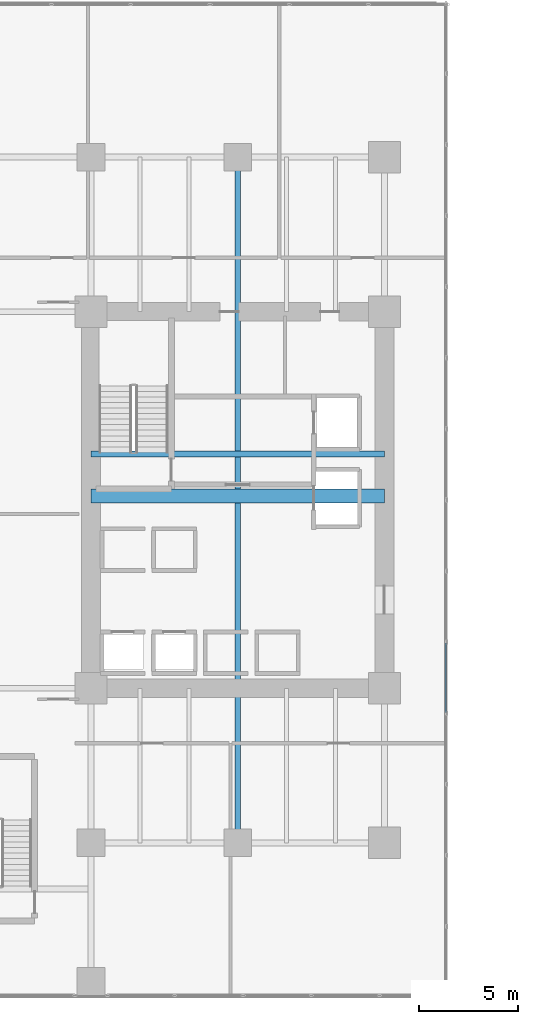
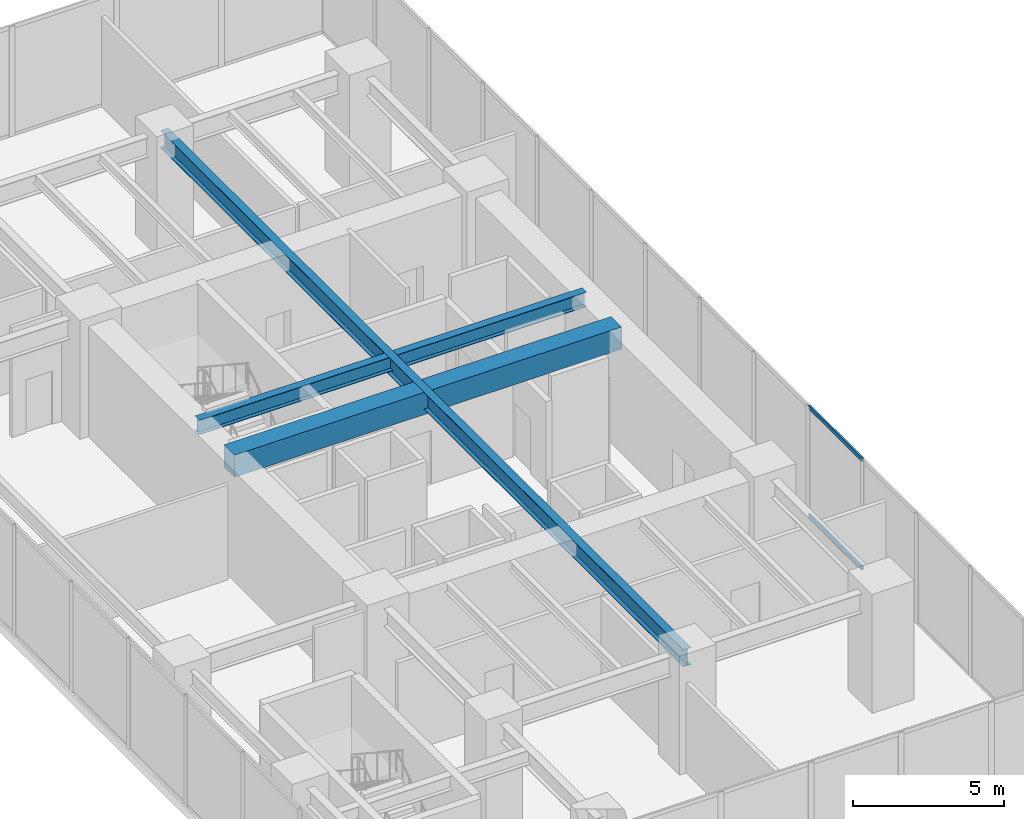
# One storey, part 6 of 32: 3 beams, 2 members, 1 element without a shape of its own.
"""IFC4 building model written with IfcOpenShell, lengths in metres."""

from ifc_helpers import new_model, si_unit, direction, frame, origin, origin_2d, place, context, subcontext, project, spatial, rectangle, hollow_rectangle, i_section, extrude, source, transform, mapped, material, layer, layer_set, material_profile, profile_set, type_object, type_shapes, element, aggregate, save


model = new_model("IFC4")

# Units and contexts
model_context = context("Model", 3, precision=1e-05, world=origin(), true_north=direction((0.0, 1.0)))
body_context = subcontext(model_context, "Body", "Model", "MODEL_VIEW")
ifc_project = project(units=[si_unit("LENGTHUNIT", "METRE"), si_unit("AREAUNIT", "SQUARE_METRE"), si_unit("VOLUMEUNIT", "CUBIC_METRE"), si_unit("PLANEANGLEUNIT", "RADIAN"), si_unit("MASSUNIT", "GRAM", prefix="KILO")], contexts=[model_context])

# Site, building, storey
site_placement = place(None, origin())
site = spatial("IfcSite", under=ifc_project, at=site_placement, CompositionType="ELEMENT")
building_placement = place(site_placement, origin())
building = spatial("IfcBuilding", under=site, at=building_placement, Name="Haelvirn Gate Laboratories", CompositionType="ELEMENT")
storey_placement = place(building_placement, frame((0.0, 0.0, 5.39990234375)))
storey = spatial("IfcBuildingStorey", under=building, at=storey_placement, Name="L02", CompositionType="ELEMENT", Elevation=5.39990234375)

# Beams
ifc_material_1 = material(Name="Concrete C60/75", Category="concrete")
ifc_material_profile_1 = material_profile(ifc_material_1, rectangle(XDim=0.699951171875, YDim=0.89990234375, at=origin_2d()), Name="RCB-700x900")
ifc_profile_set_1 = profile_set([ifc_material_profile_1], Name="Concrete C60/75")
beam_type_1 = type_object("IfcBeamType", Name="BM-RCB-900", PredefinedType="LINTEL", material=ifc_profile_set_1)
shared_shape_1 = source(origin(), body_context, "Body", "SweptSolid", [
    extrude(rectangle(XDim=0.699951171875, YDim=0.89990234375, at=origin_2d()), origin(), (0.0, 0.0, 1.0), 14.800048828125),
])
type_shapes(beam_type_1, [shared_shape_1])
beam_1_placement = place(storey_placement, frame((7.39990234375, 24.5, 4.0), z_axis=(1.0, 0.0, 0.0), x_axis=(0.0, 1.0, 0.0)))
element("IfcBeam", 1, at=beam_1_placement, inside=storey, type_object=beam_type_1, Name="L02 West Core Coupling Beam", PredefinedType="LINTEL", context=body_context, shape_type="MappedRepresentation", body=[
    mapped(shared_shape_1, transform((0.0, 0.0, 0.0), scale=1.0)),
])
ifc_material_2 = material(Name="Steel SM355", Category="steel")
ifc_material_profile_2 = material_profile(ifc_material_2, i_section(OverallWidth=0.300048828125, OverallDepth=0.587890625, WebThickness=0.011962890625, FlangeThickness=0.02001953125, at=origin_2d()), Name="H-588x300x12x20")
ifc_profile_set_2 = profile_set([ifc_material_profile_2], Name="Steel SM355")
beam_type_2 = type_object("IfcBeamType", Name="BM-G-588", PredefinedType="BEAM", material=ifc_profile_set_2)
shared_shape_2 = source(origin(), body_context, "Body", "SweptSolid", [
    extrude(i_section(OverallWidth=0.300048828125, OverallDepth=0.587890625, WebThickness=0.011962890625, FlangeThickness=0.02001953125, at=origin_2d()), origin(), (0.0, 0.0, 1.0), 14.800048828125),
])
type_shapes(beam_type_2, [shared_shape_2])
beam_2_placement = place(storey_placement, frame((7.39990234375, 26.6201171875, 4.156005859375), z_axis=(1.0, 0.0, 0.0), x_axis=(0.0, 1.0, 0.0)))
element("IfcBeam", 2, at=beam_2_placement, inside=storey, type_object=beam_type_2, Name="L02 Stair ST1 Landing Header", PredefinedType="BEAM", context=body_context, shape_type="MappedRepresentation", body=[
    mapped(shared_shape_2, transform((0.0, 0.0, 0.0), scale=1.0)),
])
ifc_material_profile_3 = material_profile(ifc_material_2, i_section(OverallWidth=0.300048828125, OverallDepth=0.699951171875, WebThickness=0.012939453125, FlangeThickness=0.02392578125, at=origin_2d()), Name="H-700x300x13x24")
ifc_profile_set_3 = profile_set([ifc_material_profile_3], Name="Steel SM355")
beam_type_3 = type_object("IfcBeamType", Name="BM-G-700", PredefinedType="BEAM", material=ifc_profile_set_3)
shared_shape_3 = source(origin(), body_context, "Body", "SweptSolid", [
    extrude(i_section(OverallWidth=0.300048828125, OverallDepth=0.699951171875, WebThickness=0.012939453125, FlangeThickness=0.02392578125, at=origin_2d()), origin(), (0.0, 0.0, 1.0), 34.60009765625),
])
type_shapes(beam_type_3, [shared_shape_3])
beam_3_placement = place(storey_placement, frame((14.800048828125, 7.0, 4.10009765625), z_axis=(0.0, 1.0, 0.0), x_axis=(-1.0, 0.0, 0.0)))
element("IfcBeam", 3, at=beam_3_placement, inside=storey, type_object=beam_type_3, Name="L02 Frame Girder X14.8 (7.0-41.6)", PredefinedType="BEAM", context=body_context, shape_type="MappedRepresentation", body=[
    mapped(shared_shape_3, transform((0.0, 0.0, 0.0), scale=1.0)),
])

# Curtain wall, members
ifc_material_3 = material(Name="Anodised bronze unitised aluminium & triple low-E glass", Category="aluminium")
ifc_layer = layer(ifc_material_3, 0.18798828125, Name="CW-SYS-1")
ifc_layer_set = layer_set([ifc_layer], Name="Anodised bronze unitised aluminium & triple low-E glass")
curtain_wall_type = type_object("IfcCurtainWallType", Name="CW-SYS-1", PredefinedType="NOTDEFINED", material=ifc_layer_set)
curtain_wall_placement = place(storey_placement, origin())
curtain_wall = element("IfcCurtainWall", 4, at=curtain_wall_placement, inside=storey, type_object=curtain_wall_type, Name="L02 Unitised Curtain Wall CW-L02-P0-E01", PredefinedType="NOTDEFINED")
ifc_material_4 = material(Name="Extruded aluminium 6063-T6 (anodised bronze)", Category="aluminium")
ifc_material_profile_4 = material_profile(ifc_material_4, hollow_rectangle(XDim=0.070068359375, YDim=0.159912109375, WallThickness=0.0048828125, at=origin_2d()), Name="CWT-160x70x5")
ifc_profile_set_4 = profile_set([ifc_material_profile_4], Name="Extruded aluminium 6063-T6 (anodised bronze)")
member_type = type_object("IfcMemberType", Name="CWT-T160", PredefinedType="USERDEFINED", material=ifc_profile_set_4)
shared_shape_4 = source(origin(), body_context, "Body", "SweptSolid", [
    extrude(hollow_rectangle(XDim=0.070068359375, YDim=0.159912109375, WallThickness=0.0048828125, at=origin_2d()), origin(), (0.0, 0.0, 1.0), 3.505859375),
])
type_shapes(member_type, [shared_shape_4])
member_1_placement = place(storey_placement, frame((25.300048828125, 13.582763671875, 0.03515625), z_axis=(0.0, 1.0, 0.0), x_axis=(-1.0, 0.0, 0.0)))
member_1 = element("IfcMember", 5, at=member_1_placement, type_object=member_type, Name="CW1 transom 5.1", ObjectType="TRANSOM", PredefinedType="USERDEFINED", context=body_context, shape_type="MappedRepresentation", body=[
    mapped(shared_shape_4, transform((0.0, 0.0, 0.0), scale=1.0)),
])
member_2_placement = place(storey_placement, frame((25.300048828125, 13.582763671875, 4.4150390625), z_axis=(0.0, 1.0, 0.0), x_axis=(-1.0, 0.0, 0.0)))
member_2 = element("IfcMember", 6, at=member_2_placement, type_object=member_type, Name="CW1 transom 5.2", ObjectType="TRANSOM", PredefinedType="USERDEFINED", context=body_context, shape_type="MappedRepresentation", body=[
    mapped(shared_shape_4, transform((0.0, 0.0, 0.0), scale=1.0)),
])
aggregate(curtain_wall, [member_1, member_2])

save(model, "model.ifc")
